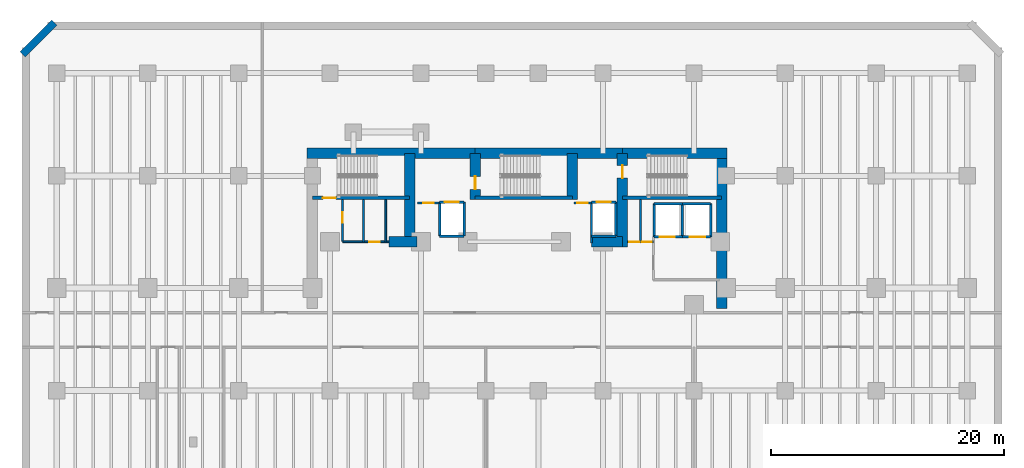
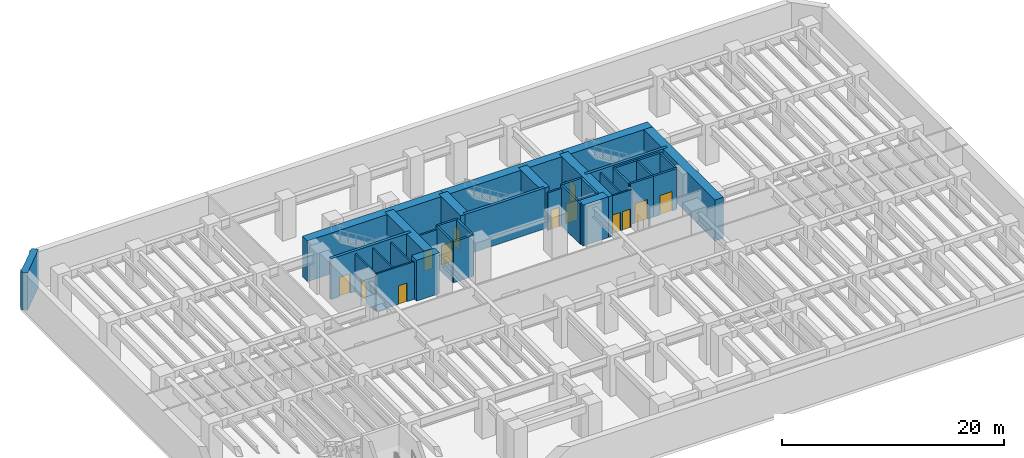
# One storey, part 6 of 9: 37 walls, 13 doors, 13 openings.
"""IFC4 building model written with IfcOpenShell, lengths in metres."""

from ifc_helpers import new_model, si_unit, direction, frame, frame_2d, origin, place, context, subcontext, project, spatial, rectangle, extrude, material, layer, layer_set, type_object, element, fill, save


model = new_model("IFC4")

# Units and contexts
model_context = context("Model", 3, precision=1e-05, world=origin(), true_north=direction((0.0, 1.0)))
body_context = subcontext(model_context, "Body", "Model", "MODEL_VIEW")
ifc_project = project(units=[si_unit("LENGTHUNIT", "METRE"), si_unit("AREAUNIT", "SQUARE_METRE"), si_unit("VOLUMEUNIT", "CUBIC_METRE"), si_unit("PLANEANGLEUNIT", "RADIAN"), si_unit("MASSUNIT", "GRAM", prefix="KILO")], contexts=[model_context])

# Site, building, storey
site_placement = place(None, origin())
site = spatial("IfcSite", under=ifc_project, at=site_placement, CompositionType="ELEMENT")
building_placement = place(site_placement, origin())
building = spatial("IfcBuilding", under=site, at=building_placement, Name="Kestravale Grand Hotel", CompositionType="ELEMENT")
storey_placement = place(building_placement, frame((0.0, 0.0, -4.5)))
storey = spatial("IfcBuildingStorey", under=building, at=storey_placement, Name="B1", CompositionType="ELEMENT", Elevation=-4.5)

# Walls
ifc_material_1 = material(Name="Concrete f'c 70 MPa", Category="concrete")
ifc_layer_1 = layer(ifc_material_1, 0.89990234375)
ifc_layer_set_1 = layer_set([ifc_layer_1], Name="EW-CORE-900")
wall_type_1 = type_object("IfcWallType", Name="EW-CORE-900", PredefinedType="SHEAR", material=ifc_layer_set_1)
wall_1_placement = place(storey_placement, frame((21.449951171875, 40.320068359375, 0.0), z_axis=(0.0, 0.0, 1.0), x_axis=(1.0, 0.0, 0.0)))
element("IfcWall", 1, at=wall_1_placement, inside=storey, type_object=wall_type_1, Name="B1 core shear wall N1", PredefinedType="SHEAR", context=body_context, shape_type="SweptSolid", body=[
    extrude(rectangle(XDim=14.400146484375, YDim=0.89990234375, at=frame_2d((7.2001953125, 0.0))), origin(), (0.0, 0.0, 1.0), 4.5),
])
wall_2_placement = place(storey_placement, frame((35.85009765625, 40.320068359375, 0.0), z_axis=(0.0, 0.0, 1.0), x_axis=(1.0, 0.0, 0.0)))
element("IfcWall", 2, at=wall_2_placement, inside=storey, type_object=wall_type_1, Name="B1 core shear wall N2", PredefinedType="SHEAR", context=body_context, shape_type="SweptSolid", body=[
    extrude(rectangle(XDim=12.599853515625, YDim=0.89990234375, at=frame_2d((6.2998046875, 0.0))), origin(), (0.0, 0.0, 1.0), 4.5),
])
wall_3_placement = place(storey_placement, frame((48.449951171875, 40.320068359375, 0.0), z_axis=(0.0, 0.0, 1.0), x_axis=(1.0, 0.0, 0.0)))
element("IfcWall", 3, at=wall_3_placement, inside=storey, type_object=wall_type_1, Name="B1 core shear wall N3", PredefinedType="SHEAR", context=body_context, shape_type="SweptSolid", body=[
    extrude(rectangle(XDim=8.969970703125, YDim=0.89990234375, at=frame_2d((4.48486328125, 0.0))), origin(), (0.0, 0.0, 1.0), 4.5),
])
wall_4_placement = place(storey_placement, frame((56.969970703125, 27.050048828125, 0.0), z_axis=(0.0, 0.0, 1.0), x_axis=(0.0, 1.0, 0.0)))
element("IfcWall", 4, at=wall_4_placement, inside=storey, type_object=wall_type_1, Name="B1 core shear wall E1", PredefinedType="SHEAR", context=body_context, shape_type="SweptSolid", body=[
    extrude(rectangle(XDim=13.719970703125, YDim=0.89990234375, at=frame_2d((6.85986328125, 0.0))), origin(), (0.0, 0.0, 1.0), 4.5),
])
wall_5_placement = place(storey_placement, frame((28.449951171875, 32.75, 0.0), z_axis=(0.0, 0.0, 1.0), x_axis=(1.0, 0.0, 0.0)))
element("IfcWall", 5, at=wall_5_placement, inside=storey, type_object=wall_type_1, Name="B1 core shear wall S1", PredefinedType="SHEAR", context=body_context, shape_type="SweptSolid", body=[
    extrude(rectangle(XDim=2.400146484375, YDim=0.89990234375, at=frame_2d((1.2001953125, 0.0))), origin(), (0.0, 0.0, 1.0), 4.5),
])
wall_6_placement = place(storey_placement, frame((45.81005859375, 32.75, 0.0), z_axis=(0.0, 0.0, 1.0), x_axis=(1.0, 0.0, 0.0)))
element("IfcWall", 6, at=wall_6_placement, inside=storey, type_object=wall_type_1, Name="B1 core shear wall S2", PredefinedType="SHEAR", context=body_context, shape_type="SweptSolid", body=[
    extrude(rectangle(XDim=2.639892578125, YDim=0.89990234375, at=frame_2d((1.31982421875, 0.0))), origin(), (0.0, 0.0, 1.0), 4.5),
])
wall_7_placement = place(storey_placement, frame((30.219970703125, 33.199951171875, 0.0), z_axis=(0.0, 0.0, 1.0), x_axis=(0.0, 1.0, 0.0)))
element("IfcWall", 7, at=wall_7_placement, inside=storey, type_object=wall_type_1, Name="B1 core shear wall X1", PredefinedType="SHEAR", context=body_context, shape_type="SweptSolid", body=[
    extrude(rectangle(XDim=7.1201171875, YDim=0.89990234375, at=frame_2d((3.56005859375, 0.0))), origin(), (0.0, 0.0, 1.0), 4.5),
])

# Wall, opening, door
wall_8_placement = place(storey_placement, frame((35.85009765625, 36.3701171875, 0.0), z_axis=(0.0, 0.0, 1.0), x_axis=(0.0, 1.0, 0.0)))
wall_8 = element("IfcWall", 8, at=wall_8_placement, inside=storey, type_object=wall_type_1, Name="B1 core shear wall X2", PredefinedType="SHEAR", context=body_context, shape_type="SweptSolid", body=[
    extrude(rectangle(XDim=3.949951171875, YDim=0.89990234375, at=frame_2d((1.97509765625, 0.0))), origin(), (0.0, 0.0, 1.0), 4.5),
])
opening_1_placement = place(wall_8_placement, frame((0.8798828125, 0.0, 0.0)))
opening_1 = element("IfcOpeningElement", 9, at=opening_1_placement, cuts=wall_8, Name="Opening D-ST-1100", PredefinedType="OPENING", context=body_context, shape_type="SweptSolid", body=[
    extrude(rectangle(XDim=1.10009765625, YDim=2.14990234375, at=frame_2d((0.550048828125, 1.074951171875))), frame((0.0, 0.4599609375, 0.0), z_axis=(0.0, -1.0, 0.0), x_axis=(1.0, 0.0, 0.0)), (0.0, 0.0, 1.0), 0.919921875),
])
ifc_material_2 = material(Name="Galvanised 90-minute fire-rated steel stair door", Category="steel")
door_type_1 = type_object("IfcDoorType", Name="D-ST-1100", OperationType="NOTDEFINED", PredefinedType="DOOR", material=ifc_material_2)
door_1_placement = place(opening_1_placement, origin())
door_1 = element("IfcDoor", 10, at=door_1_placement, inside=storey, type_object=door_type_1, Name="B1 Stair ST-2 FSAE fire door", OperationType="SINGLE_SWING_RIGHT", OverallHeight=2.14990234375, OverallWidth=1.10009765625, PredefinedType="DOOR", context=body_context, shape_type="SweptSolid", body=[
    extrude(rectangle(XDim=1.10009765625, YDim=2.14990234375, at=frame_2d((0.550048828125, 1.074951171875))), frame((0.0, 0.02490234375, 0.0), z_axis=(0.0, -1.0, 0.0), x_axis=(1.0, 0.0, 0.0)), (0.0, 0.0, 1.0), 0.050048828125),
])
fill(opening_1, door_1)

# Wall
wall_9_placement = place(storey_placement, frame((44.179931640625, 36.3701171875, 0.0), z_axis=(0.0, 0.0, 1.0), x_axis=(0.0, 1.0, 0.0)))
element("IfcWall", 11, at=wall_9_placement, inside=storey, type_object=wall_type_1, Name="B1 core shear wall X3", PredefinedType="SHEAR", context=body_context, shape_type="SweptSolid", body=[
    extrude(rectangle(XDim=3.949951171875, YDim=0.89990234375, at=frame_2d((1.97509765625, 0.0))), origin(), (0.0, 0.0, 1.0), 4.5),
])

# Wall, opening, door
wall_10_placement = place(storey_placement, frame((48.449951171875, 32.300048828125, 0.0), z_axis=(0.0, 0.0, 1.0), x_axis=(0.0, 1.0, 0.0)))
wall_10 = element("IfcWall", 12, at=wall_10_placement, inside=storey, type_object=wall_type_1, Name="B1 core shear wall X4", PredefinedType="SHEAR", context=body_context, shape_type="SweptSolid", body=[
    extrude(rectangle(XDim=8.02001953125, YDim=0.89990234375, at=frame_2d((4.010009765625, 0.0))), origin(), (0.0, 0.0, 1.0), 4.5),
])
opening_2_placement = place(wall_10_placement, frame((5.89990234375, 0.0, 0.0)))
opening_2 = element("IfcOpeningElement", 13, at=opening_2_placement, cuts=wall_10, Name="Opening D-ST-1100", PredefinedType="OPENING", context=body_context, shape_type="SweptSolid", body=[
    extrude(rectangle(XDim=1.10009765625, YDim=2.14990234375, at=frame_2d((0.550048828125, 1.074951171875))), frame((0.0, 0.4599609375, 0.0), z_axis=(0.0, -1.0, 0.0), x_axis=(1.0, 0.0, 0.0)), (0.0, 0.0, 1.0), 0.919921875),
])
door_2_placement = place(opening_2_placement, origin())
door_2 = element("IfcDoor", 14, at=door_2_placement, inside=storey, type_object=door_type_1, Name="B1 Stair ST-3 FSAE fire door", OperationType="SINGLE_SWING_RIGHT", OverallHeight=2.14990234375, OverallWidth=1.10009765625, PredefinedType="DOOR", context=body_context, shape_type="SweptSolid", body=[
    extrude(rectangle(XDim=1.10009765625, YDim=2.14990234375, at=frame_2d((0.550048828125, 1.074951171875))), frame((0.0, 0.02490234375, 0.0), z_axis=(0.0, -1.0, 0.0), x_axis=(1.0, 0.0, 0.0)), (0.0, 0.0, 1.0), 0.050048828125),
])
fill(opening_2, door_2)

# Wall
ifc_material_3 = material(Name="Concrete f'c 45 MPa", Category="concrete")
ifc_layer_2 = layer(ifc_material_3, 0.64990234375)
ifc_layer_set_2 = layer_set([ifc_layer_2], Name="EW-RET-650")
wall_type_2 = type_object("IfcWallType", Name="EW-RET-650", PredefinedType="USERDEFINED", material=ifc_layer_set_2)
wall_11_placement = place(storey_placement, frame((-0.214599609375, 51.52587890625, 0.0), z_axis=(0.0, 0.0, 1.0), x_axis=(-0.707106781187, -0.707106781187, 0.0)))
element("IfcWall", 15, at=wall_11_placement, inside=storey, type_object=wall_type_2, Name="B1 perimeter retaining wall 6", ObjectType="RETAINING WALL", PredefinedType="USERDEFINED", context=body_context, shape_type="SweptSolid", body=[
    extrude(rectangle(XDim=3.834228515625, YDim=0.64990234375, at=frame_2d((1.9169921875, 0.0))), origin(), (0.0, 0.0, 1.0), 4.14990234375),
])

# Wall, opening, door
ifc_material_4 = material(Name="Concrete f'c 45 MPa", Category="concrete")
ifc_layer_3 = layer(ifc_material_4, 0.300048828125)
ifc_layer_set_3 = layer_set([ifc_layer_3], Name="EW-STAIR-300")
wall_type_3 = type_object("IfcWallType", Name="EW-STAIR-300", PredefinedType="SHEAR", material=ifc_layer_set_3)
wall_12_placement = place(storey_placement, frame((21.89990234375, 36.52001953125, 0.0), z_axis=(0.0, 0.0, 1.0), x_axis=(1.0, 0.0, 0.0)))
wall_12 = element("IfcWall", 16, at=wall_12_placement, inside=storey, type_object=wall_type_3, Name="B1 stair enclosure shear wall SST1", PredefinedType="SHEAR", context=body_context, shape_type="SweptSolid", body=[
    extrude(rectangle(XDim=8.320068359375, YDim=0.300048828125, at=frame_2d((4.16015625, 0.0))), origin(), (0.0, 0.0, 1.0), 4.5),
])
opening_3_placement = place(wall_12_placement, frame((0.89990234375, 0.0, 0.0)))
opening_3 = element("IfcOpeningElement", 17, at=opening_3_placement, cuts=wall_12, Name="Opening D-ST-1100", PredefinedType="OPENING", context=body_context, shape_type="SweptSolid", body=[
    extrude(rectangle(XDim=1.10009765625, YDim=2.14990234375, at=frame_2d((0.550048828125, 1.074951171875))), frame((0.0, 0.159912109375, 0.0), z_axis=(0.0, -1.0, 0.0), x_axis=(1.0, 0.0, 0.0)), (0.0, 0.0, 1.0), 0.320068359375),
])
door_3_placement = place(opening_3_placement, origin())
door_3 = element("IfcDoor", 18, at=door_3_placement, inside=storey, type_object=door_type_1, Name="B1 Stair ST-1 fire door", OperationType="SINGLE_SWING_RIGHT", OverallHeight=2.14990234375, OverallWidth=1.10009765625, PredefinedType="DOOR", context=body_context, shape_type="SweptSolid", body=[
    extrude(rectangle(XDim=1.10009765625, YDim=2.14990234375, at=frame_2d((0.550048828125, 1.074951171875))), frame((0.0, 0.02490234375, 0.0), z_axis=(0.0, -1.0, 0.0), x_axis=(1.0, 0.0, 0.0)), (0.0, 0.0, 1.0), 0.050048828125),
])
fill(opening_3, door_3)

# Walls
wall_13_placement = place(storey_placement, frame((35.85009765625, 36.52001953125, 0.0), z_axis=(0.0, 0.0, 1.0), x_axis=(1.0, 0.0, 0.0)))
element("IfcWall", 19, at=wall_13_placement, inside=storey, type_object=wall_type_3, Name="B1 stair enclosure shear wall SST2", PredefinedType="SHEAR", context=body_context, shape_type="SweptSolid", body=[
    extrude(rectangle(XDim=8.329833984375, YDim=0.300048828125, at=frame_2d((4.1650390625, 0.0))), origin(), (0.0, 0.0, 1.0), 4.5),
])
wall_14_placement = place(storey_placement, frame((48.449951171875, 36.52001953125, 0.0), z_axis=(0.0, 0.0, 1.0), x_axis=(1.0, 0.0, 0.0)))
element("IfcWall", 20, at=wall_14_placement, inside=storey, type_object=wall_type_3, Name="B1 stair enclosure shear wall SST3", PredefinedType="SHEAR", context=body_context, shape_type="SweptSolid", body=[
    extrude(rectangle(XDim=8.52001953125, YDim=0.300048828125, at=frame_2d((4.260009765625, 0.0))), origin(), (0.0, 0.0, 1.0), 4.5),
])

# Wall, opening, door
ifc_material_5 = material(Name="Acoustic fire-rated gypsum board partition", Category="other")
ifc_layer_4 = layer(ifc_material_5, 0.159912109375)
ifc_layer_set_4 = layer_set([ifc_layer_4], Name="IW-CORR-160")
wall_type_4 = type_object("IfcWallType", Name="IW-CORR-160", PredefinedType="PARTITIONING", material=ifc_layer_set_4)
wall_15_placement = place(storey_placement, frame((24.47998046875, 32.800048828125, 0.0), z_axis=(0.0, 0.0, 1.0), x_axis=(0.0, 1.0, 0.0)))
wall_15 = element("IfcWall", 21, at=wall_15_placement, inside=storey, type_object=wall_type_4, Name="B1 west core vestibule wall", PredefinedType="PARTITIONING", context=body_context, shape_type="SweptSolid", body=[
    extrude(rectangle(XDim=3.570068359375, YDim=0.159912109375, at=frame_2d((1.78515625, 0.0))), origin(), (0.0, 0.0, 1.0), 4.14990234375),
])
opening_4_placement = place(wall_15_placement, frame((1.603515625, 0.0, 0.0)))
opening_4 = element("IfcOpeningElement", 22, at=opening_4_placement, cuts=wall_15, Name="Opening D-SH-900", PredefinedType="OPENING", context=body_context, shape_type="SweptSolid", body=[
    extrude(rectangle(XDim=0.89990234375, YDim=2.10009765625, at=frame_2d((0.449951171875, 1.050048828125))), frame((0.0, 0.08984375, 0.0), z_axis=(0.0, -1.0, 0.0), x_axis=(1.0, 0.0, 0.0)), (0.0, 0.0, 1.0), 0.179931640625),
])
ifc_material_6 = material(Name="Galvanised 90-minute shaft and service fire door", Category="steel")
door_type_2 = type_object("IfcDoorType", Name="D-SH-900", OperationType="NOTDEFINED", PredefinedType="DOOR", material=ifc_material_6)
door_4_placement = place(opening_4_placement, origin())
door_4 = element("IfcDoor", 23, at=door_4_placement, inside=storey, type_object=door_type_2, Name="D-B1-HK", OperationType="SINGLE_SWING_RIGHT", OverallHeight=2.10009765625, OverallWidth=0.89990234375, PredefinedType="DOOR", context=body_context, shape_type="SweptSolid", body=[
    extrude(rectangle(XDim=0.89990234375, YDim=2.10009765625, at=frame_2d((0.449951171875, 1.050048828125))), frame((0.0, 0.02490234375, 0.0), z_axis=(0.0, -1.0, 0.0), x_axis=(1.0, 0.0, 0.0)), (0.0, 0.0, 1.0), 0.050048828125),
])
fill(opening_4, door_4)

wall_16_placement = place(storey_placement, frame((24.47998046875, 32.75, 0.0), z_axis=(0.0, 0.0, 1.0), x_axis=(1.0, 0.0, 0.0)))
wall_16 = element("IfcWall", 24, at=wall_16_placement, inside=storey, type_object=wall_type_4, Name="W-B1-CWS", PredefinedType="PARTITIONING", context=body_context, shape_type="SweptSolid", body=[
    extrude(rectangle(XDim=3.969970703125, YDim=0.159912109375, at=frame_2d((1.98486328125, 0.0))), origin(), (0.0, 0.0, 1.0), 4.14990234375),
])
opening_5_placement = place(wall_16_placement, frame((2.31005859375, 0.0, 0.0)))
opening_5 = element("IfcOpeningElement", 25, at=opening_5_placement, cuts=wall_16, Name="Opening D-SH-860", PredefinedType="OPENING", context=body_context, shape_type="SweptSolid", body=[
    extrude(rectangle(XDim=0.860107421875, YDim=2.050048828125, at=frame_2d((0.43017578125, 1.02490234375))), frame((0.0, 0.08984375, 0.0), z_axis=(0.0, -1.0, 0.0), x_axis=(1.0, 0.0, 0.0)), (0.0, 0.0, 1.0), 0.179931640625),
])
ifc_material_7 = material(Name="Galvanised 90-minute riser fire door", Category="steel")
door_type_3 = type_object("IfcDoorType", Name="D-SH-860", OperationType="NOTDEFINED", PredefinedType="DOOR", material=ifc_material_7)
door_5_placement = place(opening_5_placement, origin())
door_5 = element("IfcDoor", 26, at=door_5_placement, inside=storey, type_object=door_type_3, Name="D-B1-IDF", OperationType="SINGLE_SWING_RIGHT", OverallHeight=2.050048828125, OverallWidth=0.860107421875, PredefinedType="DOOR", context=body_context, shape_type="SweptSolid", body=[
    extrude(rectangle(XDim=0.860107421875, YDim=2.050048828125, at=frame_2d((0.43017578125, 1.02490234375))), frame((0.0, 0.02490234375, 0.0), z_axis=(0.0, -1.0, 0.0), x_axis=(1.0, 0.0, 0.0)), (0.0, 0.0, 1.0), 0.050048828125),
])
fill(opening_5, door_5)

# Wall, openings, doors
wall_17_placement = place(storey_placement, frame((48.919921875, 32.75, 0.0), z_axis=(0.0, 0.0, 1.0), x_axis=(1.0, 0.0, 0.0)))
wall_17 = element("IfcWall", 27, at=wall_17_placement, inside=storey, type_object=wall_type_4, Name="W-B1-CES", PredefinedType="PARTITIONING", context=body_context, shape_type="SweptSolid", body=[
    extrude(rectangle(XDim=2.2001953125, YDim=0.159912109375, at=frame_2d((1.10009765625, 0.0))), origin(), (0.0, 0.0, 1.0), 4.14990234375),
])
opening_6_placement = place(wall_17_placement, frame((0.139892578125, 0.0, 0.0)))
opening_6 = element("IfcOpeningElement", 28, at=opening_6_placement, cuts=wall_17, Name="Opening D-SH-860", PredefinedType="OPENING", context=body_context, shape_type="SweptSolid", body=[
    extrude(rectangle(XDim=0.860107421875, YDim=2.050048828125, at=frame_2d((0.43017578125, 1.02490234375))), frame((0.0, 0.08984375, 0.0), z_axis=(0.0, -1.0, 0.0), x_axis=(1.0, 0.0, 0.0)), (0.0, 0.0, 1.0), 0.179931640625),
])
opening_7_placement = place(wall_17_placement, frame((1.199951171875, 0.0, 0.0)))
opening_7 = element("IfcOpeningElement", 29, at=opening_7_placement, cuts=wall_17, Name="Opening D-SH-860", PredefinedType="OPENING", context=body_context, shape_type="SweptSolid", body=[
    extrude(rectangle(XDim=0.860107421875, YDim=2.050048828125, at=frame_2d((0.43017578125, 1.02490234375))), frame((0.0, 0.08984375, 0.0), z_axis=(0.0, -1.0, 0.0), x_axis=(1.0, 0.0, 0.0)), (0.0, 0.0, 1.0), 0.179931640625),
])
door_6_placement = place(opening_6_placement, origin())
door_6 = element("IfcDoor", 30, at=door_6_placement, inside=storey, type_object=door_type_3, Name="B1 CSTO1 door", OperationType="SINGLE_SWING_LEFT", OverallHeight=2.050048828125, OverallWidth=0.860107421875, PredefinedType="DOOR", context=body_context, shape_type="SweptSolid", body=[
    extrude(rectangle(XDim=0.860107421875, YDim=2.050048828125, at=frame_2d((0.43017578125, 1.02490234375))), frame((0.0, 0.02490234375, 0.0), z_axis=(0.0, -1.0, 0.0), x_axis=(1.0, 0.0, 0.0)), (0.0, 0.0, 1.0), 0.050048828125),
])
fill(opening_6, door_6)
door_7_placement = place(opening_7_placement, origin())
door_7 = element("IfcDoor", 31, at=door_7_placement, inside=storey, type_object=door_type_3, Name="B1 CSTO2 door", OperationType="SINGLE_SWING_RIGHT", OverallHeight=2.050048828125, OverallWidth=0.860107421875, PredefinedType="DOOR", context=body_context, shape_type="SweptSolid", body=[
    extrude(rectangle(XDim=0.860107421875, YDim=2.050048828125, at=frame_2d((0.43017578125, 1.02490234375))), frame((0.0, 0.02490234375, 0.0), z_axis=(0.0, -1.0, 0.0), x_axis=(1.0, 0.0, 0.0)), (0.0, 0.0, 1.0), 0.050048828125),
])
fill(opening_7, door_7)

# Wall, opening, door
ifc_material_8 = material(Name="Fire-rated gypsum board on steel studs with mineral wool", Category="steel")
ifc_layer_5 = layer(ifc_material_8, 0.179931640625)
ifc_layer_set_5 = layer_set([ifc_layer_5], Name="IW-FSAE-180")
wall_type_5 = type_object("IfcWallType", Name="IW-FSAE-180", PredefinedType="PARTITIONING", material=ifc_layer_set_5)
wall_18_placement = place(storey_placement, frame((30.89990234375, 36.080078125, 0.0), z_axis=(0.0, 0.0, 1.0), x_axis=(1.0, 0.0, 0.0)))
wall_18 = element("IfcWall", 32, at=wall_18_placement, inside=storey, type_object=wall_type_5, Name="B1 FSAE Lobby 1 smoke barrier", PredefinedType="PARTITIONING", context=body_context, shape_type="SweptSolid", body=[
    extrude(rectangle(XDim=1.85009765625, YDim=0.179931640625, at=frame_2d((0.925048828125, 0.0))), origin(), (0.0, 0.0, 1.0), 4.14990234375),
])
opening_8_placement = place(wall_18_placement, frame((0.47998046875, 0.0, 0.0)))
opening_8 = element("IfcOpeningElement", 33, at=opening_8_placement, cuts=wall_18, Name="Opening D-FSAE-1000", PredefinedType="OPENING", context=body_context, shape_type="SweptSolid", body=[
    extrude(rectangle(XDim=0.89990234375, YDim=2.14990234375, at=frame_2d((0.449951171875, 1.074951171875))), frame((0.0, 0.099853515625, 0.0), z_axis=(0.0, -1.0, 0.0), x_axis=(1.0, 0.0, 0.0)), (0.0, 0.0, 1.0), 0.199951171875),
])
ifc_material_9 = material(Name="Smoke-gasketed FSAE lobby fire door", Category="steel")
door_type_4 = type_object("IfcDoorType", Name="D-FSAE-1000", OperationType="NOTDEFINED", PredefinedType="DOOR", material=ifc_material_9)
door_8_placement = place(opening_8_placement, origin())
door_8 = element("IfcDoor", 34, at=door_8_placement, inside=storey, type_object=door_type_4, Name="B1 FSAE Lobby 1 fire door", OperationType="SINGLE_SWING_RIGHT", OverallHeight=2.14990234375, OverallWidth=0.89990234375, PredefinedType="DOOR", context=body_context, shape_type="SweptSolid", body=[
    extrude(rectangle(XDim=0.89990234375, YDim=2.14990234375, at=frame_2d((0.449951171875, 1.074951171875))), frame((0.0, 0.02490234375, 0.0), z_axis=(0.0, -1.0, 0.0), x_axis=(1.0, 0.0, 0.0)), (0.0, 0.0, 1.0), 0.050048828125),
])
fill(opening_8, door_8)

wall_19_placement = place(storey_placement, frame((44.300048828125, 36.080078125, 0.0), z_axis=(0.0, 0.0, 1.0), x_axis=(1.0, 0.0, 0.0)))
wall_19 = element("IfcWall", 35, at=wall_19_placement, inside=storey, type_object=wall_type_5, Name="B1 FSAE Lobby 2 smoke barrier", PredefinedType="PARTITIONING", context=body_context, shape_type="SweptSolid", body=[
    extrude(rectangle(XDim=1.5, YDim=0.179931640625, at=frame_2d((0.75, 0.0))), origin(), (0.0, 0.0, 1.0), 4.14990234375),
])
opening_9_placement = place(wall_19_placement, frame((0.300048828125, 0.0, 0.0)))
opening_9 = element("IfcOpeningElement", 36, at=opening_9_placement, cuts=wall_19, Name="Opening D-FSAE-1000", PredefinedType="OPENING", context=body_context, shape_type="SweptSolid", body=[
    extrude(rectangle(XDim=0.89990234375, YDim=2.14990234375, at=frame_2d((0.449951171875, 1.074951171875))), frame((0.0, 0.099853515625, 0.0), z_axis=(0.0, -1.0, 0.0), x_axis=(1.0, 0.0, 0.0)), (0.0, 0.0, 1.0), 0.199951171875),
])
door_9_placement = place(opening_9_placement, origin())
door_9 = element("IfcDoor", 37, at=door_9_placement, inside=storey, type_object=door_type_4, Name="B1 FSAE Lobby 2 fire door", OperationType="SINGLE_SWING_LEFT", OverallHeight=2.14990234375, OverallWidth=0.89990234375, PredefinedType="DOOR", context=body_context, shape_type="SweptSolid", body=[
    extrude(rectangle(XDim=0.89990234375, YDim=2.14990234375, at=frame_2d((0.449951171875, 1.074951171875))), frame((0.0, 0.02490234375, 0.0), z_axis=(0.0, -1.0, 0.0), x_axis=(1.0, 0.0, 0.0)), (0.0, 0.0, 1.0), 0.050048828125),
])
fill(opening_9, door_9)

# Walls
ifc_material_10 = material(Name="Concrete f'c 45 MPa", Category="concrete")
ifc_layer_6 = layer(ifc_material_10, 0.199951171875)
ifc_layer_set_6 = layer_set([ifc_layer_6], Name="IW-SHAFT-200")
wall_type_6 = type_object("IfcWallType", Name="IW-SHAFT-200", PredefinedType="SHEAR", material=ifc_layer_set_6)
for number, where, z_axis, x_axis, name in (
    (38, (51.179931640625, 33.169921875, 0.0), (0.0, 0.0, 1.0), (0.0, 1.0, 0.0), "B1 SL-1 west shaft wall"),
    (39, (53.60009765625, 33.169921875, 0.0), (0.0, 0.0, 1.0), (0.0, 1.0, 0.0), "B1 SL-2 west shaft wall"),
    (40, (56.02001953125, 33.169921875, 0.0), (0.0, 0.0, 1.0), (0.0, 1.0, 0.0), "B1 SL-2 east shaft wall"),
):
    element("IfcWall", number, at=place(storey_placement, frame(where, z_axis=z_axis, x_axis=x_axis)), inside=storey, type_object=wall_type_6, Name=name, PredefinedType="SHEAR", context=body_context, shape_type="SweptSolid", body=[
        extrude(rectangle(XDim=2.860107421875, YDim=0.199951171875, at=frame_2d((1.43017578125, 0.0))), origin(), (0.0, 0.0, 1.0), 4.5),
    ])
for number, where, z_axis, x_axis, name in (
    (41, (32.804931640625, 33.2451171875, 0.0), (0.0, 0.0, 1.0), (0.0, 1.0, 0.0), "B1 FL-1 west shaft wall"),
    (42, (34.89501953125, 33.2451171875, 0.0), (0.0, 0.0, 1.0), (0.0, 1.0, 0.0), "B1 FL-1 east shaft wall"),
):
    element("IfcWall", number, at=place(storey_placement, frame(where, z_axis=z_axis, x_axis=x_axis)), inside=storey, type_object=wall_type_6, Name=name, PredefinedType="SHEAR", context=body_context, shape_type="SweptSolid", body=[
        extrude(rectangle(XDim=2.909912109375, YDim=0.199951171875, at=frame_2d((1.455078125, 0.0))), origin(), (0.0, 0.0, 1.0), 4.5),
    ])
wall_20_placement = place(storey_placement, frame((45.804931640625, 32.64990234375, 0.0), z_axis=(0.0, 0.0, 1.0), x_axis=(0.0, 1.0, 0.0)))
element("IfcWall", 43, at=wall_20_placement, inside=storey, type_object=wall_type_6, Name="B1 FL-2 west shaft wall", PredefinedType="SHEAR", context=body_context, shape_type="SweptSolid", body=[
    extrude(rectangle(XDim=3.505126953125, YDim=0.199951171875, at=frame_2d((1.75244140625, 0.0))), origin(), (0.0, 0.0, 1.0), 4.5),
])
wall_21_placement = place(storey_placement, frame((47.89501953125, 33.2451171875, 0.0), z_axis=(0.0, 0.0, 1.0), x_axis=(0.0, 1.0, 0.0)))
element("IfcWall", 44, at=wall_21_placement, inside=storey, type_object=wall_type_6, Name="B1 FL-2 east shaft wall", PredefinedType="SHEAR", context=body_context, shape_type="SweptSolid", body=[
    extrude(rectangle(XDim=2.909912109375, YDim=0.199951171875, at=frame_2d((1.455078125, 0.0))), origin(), (0.0, 0.0, 1.0), 4.5),
])
ifc_material_11 = material(Name="Concrete f'c 45 MPa", Category="concrete")
ifc_layer_7 = layer(ifc_material_11, 0.219970703125)
ifc_layer_set_7 = layer_set([ifc_layer_7], Name="IW-SHAFT-220")
wall_type_7 = type_object("IfcWallType", Name="IW-SHAFT-220", PredefinedType="SHEAR", material=ifc_layer_set_7)
wall_22_placement = place(storey_placement, frame((51.179931640625, 36.030029296875, 0.0), z_axis=(0.0, 0.0, 1.0), x_axis=(1.0, 0.0, 0.0)))
element("IfcWall", 45, at=wall_22_placement, inside=storey, type_object=wall_type_7, Name="B1 SL-1 north shaft wall", PredefinedType="SHEAR", context=body_context, shape_type="SweptSolid", body=[
    extrude(rectangle(XDim=2.420166015625, YDim=0.219970703125, at=frame_2d((1.2099609375, 0.0))), origin(), (0.0, 0.0, 1.0), 4.5),
])

# Wall, opening, door
wall_23_placement = place(storey_placement, frame((51.179931640625, 33.169921875, 0.0), z_axis=(0.0, 0.0, 1.0), x_axis=(1.0, 0.0, 0.0)))
wall_23 = element("IfcWall", 46, at=wall_23_placement, inside=storey, type_object=wall_type_7, Name="B1 SL-1 south shaft wall", PredefinedType="SHEAR", context=body_context, shape_type="SweptSolid", body=[
    extrude(rectangle(XDim=2.420166015625, YDim=0.219970703125, at=frame_2d((1.2099609375, 0.0))), origin(), (0.0, 0.0, 1.0), 4.5),
])
opening_10_placement = place(wall_23_placement, frame((0.469970703125, 0.0, 0.0)))
opening_10 = element("IfcOpeningElement", 47, at=opening_10_placement, cuts=wall_23, Name="Opening LD-SVC-1300", PredefinedType="OPENING", context=body_context, shape_type="SweptSolid", body=[
    extrude(rectangle(XDim=1.300048828125, YDim=2.14990234375, at=frame_2d((0.64990234375, 1.074951171875))), frame((0.0, 0.119873046875, 0.0), z_axis=(0.0, -1.0, 0.0), x_axis=(1.0, 0.0, 0.0)), (0.0, 0.0, 1.0), 0.239990234375),
])
ifc_material_12 = material(Name="Heavy-duty service sliding elevator landing door", Category="steel")
door_type_5 = type_object("IfcDoorType", Name="LD-SVC-1300", OperationType="NOTDEFINED", PredefinedType="DOOR", material=ifc_material_12)
door_10_placement = place(opening_10_placement, origin())
door_10 = element("IfcDoor", 48, at=door_10_placement, inside=storey, type_object=door_type_5, Name="B1 SL-1 elevator landing sliding door", OperationType="DOUBLE_DOOR_SLIDING", OverallHeight=2.14990234375, OverallWidth=1.300048828125, PredefinedType="DOOR", context=body_context, shape_type="SweptSolid", body=[
    extrude(rectangle(XDim=1.300048828125, YDim=2.14990234375, at=frame_2d((0.64990234375, 1.074951171875))), frame((0.0, 0.02490234375, 0.0), z_axis=(0.0, -1.0, 0.0), x_axis=(1.0, 0.0, 0.0)), (0.0, 0.0, 1.0), 0.050048828125),
])
fill(opening_10, door_10)

# Wall
wall_24_placement = place(storey_placement, frame((53.60009765625, 36.030029296875, 0.0), z_axis=(0.0, 0.0, 1.0), x_axis=(1.0, 0.0, 0.0)))
element("IfcWall", 49, at=wall_24_placement, inside=storey, type_object=wall_type_7, Name="B1 SL-2 north shaft wall", PredefinedType="SHEAR", context=body_context, shape_type="SweptSolid", body=[
    extrude(rectangle(XDim=2.419921875, YDim=0.219970703125, at=frame_2d((1.2099609375, 0.0))), origin(), (0.0, 0.0, 1.0), 4.5),
])

# Wall, opening, door
wall_25_placement = place(storey_placement, frame((53.60009765625, 33.169921875, 0.0), z_axis=(0.0, 0.0, 1.0), x_axis=(1.0, 0.0, 0.0)))
wall_25 = element("IfcWall", 50, at=wall_25_placement, inside=storey, type_object=wall_type_7, Name="B1 SL-2 south shaft wall", PredefinedType="SHEAR", context=body_context, shape_type="SweptSolid", body=[
    extrude(rectangle(XDim=2.419921875, YDim=0.219970703125, at=frame_2d((1.2099609375, 0.0))), origin(), (0.0, 0.0, 1.0), 4.5),
])
opening_11_placement = place(wall_25_placement, frame((0.64990234375, 0.0, 0.0)))
opening_11 = element("IfcOpeningElement", 51, at=opening_11_placement, cuts=wall_25, Name="Opening LD-SVC-1300", PredefinedType="OPENING", context=body_context, shape_type="SweptSolid", body=[
    extrude(rectangle(XDim=1.300048828125, YDim=2.14990234375, at=frame_2d((0.64990234375, 1.074951171875))), frame((0.0, 0.119873046875, 0.0), z_axis=(0.0, -1.0, 0.0), x_axis=(1.0, 0.0, 0.0)), (0.0, 0.0, 1.0), 0.239990234375),
])
door_11_placement = place(opening_11_placement, origin())
door_11 = element("IfcDoor", 52, at=door_11_placement, inside=storey, type_object=door_type_5, Name="B1 SL-2 elevator landing sliding door", OperationType="DOUBLE_DOOR_SLIDING", OverallHeight=2.14990234375, OverallWidth=1.300048828125, PredefinedType="DOOR", context=body_context, shape_type="SweptSolid", body=[
    extrude(rectangle(XDim=1.300048828125, YDim=2.14990234375, at=frame_2d((0.64990234375, 1.074951171875))), frame((0.0, 0.02490234375, 0.0), z_axis=(0.0, -1.0, 0.0), x_axis=(1.0, 0.0, 0.0)), (0.0, 0.0, 1.0), 0.050048828125),
])
fill(opening_11, door_11)

wall_26_placement = place(storey_placement, frame((32.804931640625, 36.155029296875, 0.0), z_axis=(0.0, 0.0, 1.0), x_axis=(1.0, 0.0, 0.0)))
wall_26 = element("IfcWall", 53, at=wall_26_placement, inside=storey, type_object=wall_type_7, Name="B1 FL-1 north shaft wall", PredefinedType="SHEAR", context=body_context, shape_type="SweptSolid", body=[
    extrude(rectangle(XDim=2.090087890625, YDim=0.219970703125, at=frame_2d((1.044921875, 0.0))), origin(), (0.0, 0.0, 1.0), 4.5),
])
opening_12_placement = place(wall_26_placement, frame((0.445068359375, 0.0, 0.0)))
opening_12 = element("IfcOpeningElement", 54, at=opening_12_placement, cuts=wall_26, Name="Opening LD-FSAE-1200", PredefinedType="OPENING", context=body_context, shape_type="SweptSolid", body=[
    extrude(rectangle(XDim=1.199951171875, YDim=2.14990234375, at=frame_2d((0.60009765625, 1.074951171875))), frame((0.0, 0.119873046875, 0.0), z_axis=(0.0, -1.0, 0.0), x_axis=(1.0, 0.0, 0.0)), (0.0, 0.0, 1.0), 0.239990234375),
])
ifc_material_13 = material(Name="Stainless fire-service sliding elevator landing door", Category="steel")
door_type_6 = type_object("IfcDoorType", Name="LD-FSAE-1200", OperationType="NOTDEFINED", PredefinedType="DOOR", material=ifc_material_13)
door_12_placement = place(opening_12_placement, origin())
door_12 = element("IfcDoor", 55, at=door_12_placement, inside=storey, type_object=door_type_6, Name="B1 FL-1 elevator landing sliding door", OperationType="DOUBLE_DOOR_SLIDING", OverallHeight=2.14990234375, OverallWidth=1.199951171875, PredefinedType="DOOR", context=body_context, shape_type="SweptSolid", body=[
    extrude(rectangle(XDim=1.199951171875, YDim=2.14990234375, at=frame_2d((0.60009765625, 1.074951171875))), frame((0.0, 0.02490234375, 0.0), z_axis=(0.0, -1.0, 0.0), x_axis=(1.0, 0.0, 0.0)), (0.0, 0.0, 1.0), 0.050048828125),
])
fill(opening_12, door_12)

# Wall
wall_27_placement = place(storey_placement, frame((32.804931640625, 33.2451171875, 0.0), z_axis=(0.0, 0.0, 1.0), x_axis=(1.0, 0.0, 0.0)))
element("IfcWall", 56, at=wall_27_placement, inside=storey, type_object=wall_type_7, Name="B1 FL-1 south shaft wall", PredefinedType="SHEAR", context=body_context, shape_type="SweptSolid", body=[
    extrude(rectangle(XDim=2.090087890625, YDim=0.219970703125, at=frame_2d((1.044921875, 0.0))), origin(), (0.0, 0.0, 1.0), 4.5),
])

# Wall, opening, door
wall_28_placement = place(storey_placement, frame((45.804931640625, 36.155029296875, 0.0), z_axis=(0.0, 0.0, 1.0), x_axis=(1.0, 0.0, 0.0)))
wall_28 = element("IfcWall", 57, at=wall_28_placement, inside=storey, type_object=wall_type_7, Name="B1 FL-2 north shaft wall", PredefinedType="SHEAR", context=body_context, shape_type="SweptSolid", body=[
    extrude(rectangle(XDim=2.090087890625, YDim=0.219970703125, at=frame_2d((1.044921875, 0.0))), origin(), (0.0, 0.0, 1.0), 4.5),
])
opening_13_placement = place(wall_28_placement, frame((0.445068359375, 0.0, 0.0)))
opening_13 = element("IfcOpeningElement", 58, at=opening_13_placement, cuts=wall_28, Name="Opening LD-FSAE-1200", PredefinedType="OPENING", context=body_context, shape_type="SweptSolid", body=[
    extrude(rectangle(XDim=1.199951171875, YDim=2.14990234375, at=frame_2d((0.60009765625, 1.074951171875))), frame((0.0, 0.119873046875, 0.0), z_axis=(0.0, -1.0, 0.0), x_axis=(1.0, 0.0, 0.0)), (0.0, 0.0, 1.0), 0.239990234375),
])
door_13_placement = place(opening_13_placement, origin())
door_13 = element("IfcDoor", 59, at=door_13_placement, inside=storey, type_object=door_type_6, Name="B1 FL-2 elevator landing sliding door", OperationType="DOUBLE_DOOR_SLIDING", OverallHeight=2.14990234375, OverallWidth=1.199951171875, PredefinedType="DOOR", context=body_context, shape_type="SweptSolid", body=[
    extrude(rectangle(XDim=1.199951171875, YDim=2.14990234375, at=frame_2d((0.60009765625, 1.074951171875))), frame((0.0, 0.02490234375, 0.0), z_axis=(0.0, -1.0, 0.0), x_axis=(1.0, 0.0, 0.0)), (0.0, 0.0, 1.0), 0.050048828125),
])
fill(opening_13, door_13)

# Walls
wall_29_placement = place(storey_placement, frame((45.804931640625, 33.2451171875, 0.0), z_axis=(0.0, 0.0, 1.0), x_axis=(1.0, 0.0, 0.0)))
element("IfcWall", 60, at=wall_29_placement, inside=storey, type_object=wall_type_7, Name="B1 FL-2 south shaft wall", PredefinedType="SHEAR", context=body_context, shape_type="SweptSolid", body=[
    extrude(rectangle(XDim=2.090087890625, YDim=0.219970703125, at=frame_2d((1.044921875, 0.0))), origin(), (0.0, 0.0, 1.0), 4.5),
])
ifc_material_14 = material(Name="Double-stud STC 52 acoustic demising partition", Category="other")
ifc_layer_8 = layer(ifc_material_14, 0.14990234375)
ifc_layer_set_8 = layer_set([ifc_layer_8], Name="IW-UNIT-150")
wall_type_8 = type_object("IfcWallType", Name="IW-UNIT-150", PredefinedType="PARTITIONING", material=ifc_layer_set_8)
for number, where, z_axis, x_axis, name in (
    (61, (26.280029296875, 32.75, 0.0), (0.0, 0.0, 1.0), (0.0, 1.0, 0.0), "W-B1-CC1-1"),
    (62, (28.179931640625, 32.75, 0.0), (0.0, 0.0, 1.0), (0.0, 1.0, 0.0), "W-B1-CC1-2"),
    (63, (50.010009765625, 32.75, 0.0), (0.0, 0.0, 1.0), (0.0, 1.0, 0.0), "W-B1-CC1-EM"),
):
    element("IfcWall", number, at=place(storey_placement, frame(where, z_axis=z_axis, x_axis=x_axis)), inside=storey, type_object=wall_type_8, Name=name, PredefinedType="PARTITIONING", context=body_context, shape_type="SweptSolid", body=[
        extrude(rectangle(XDim=3.6201171875, YDim=0.14990234375, at=frame_2d((1.81005859375, 0.0))), origin(), (0.0, 0.0, 1.0), 4.14990234375),
    ])

save(model, "model.ifc")
